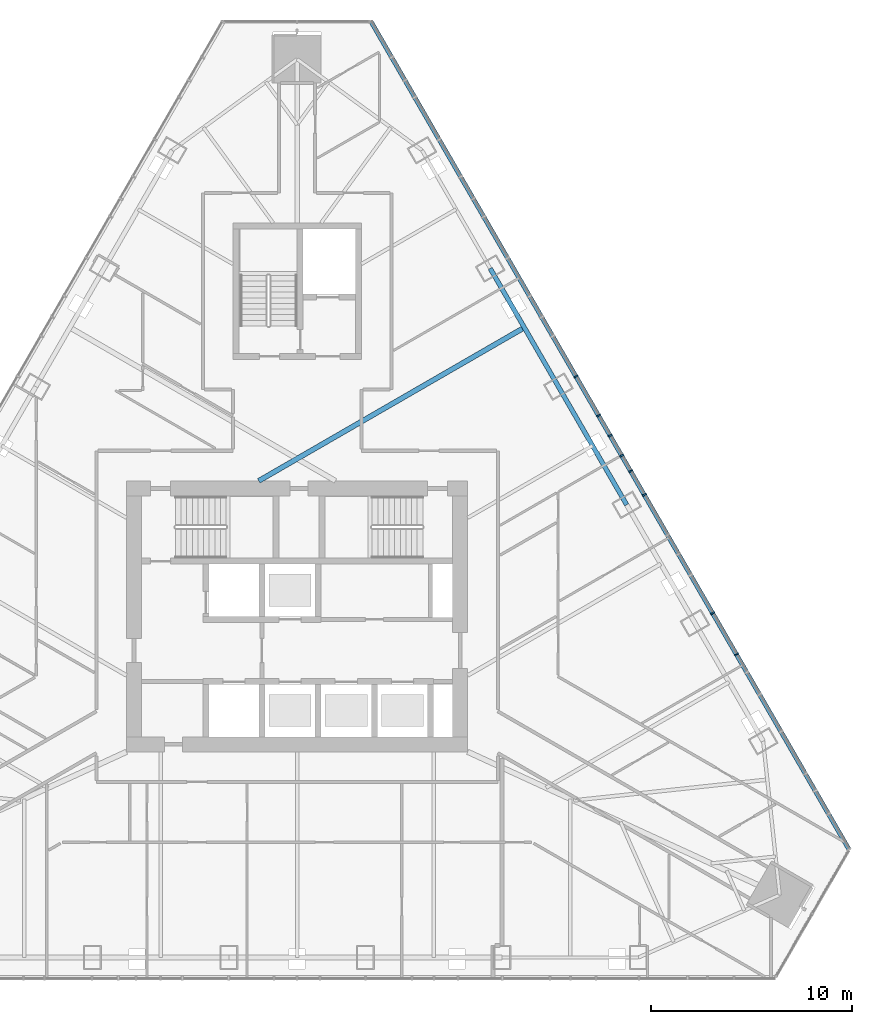
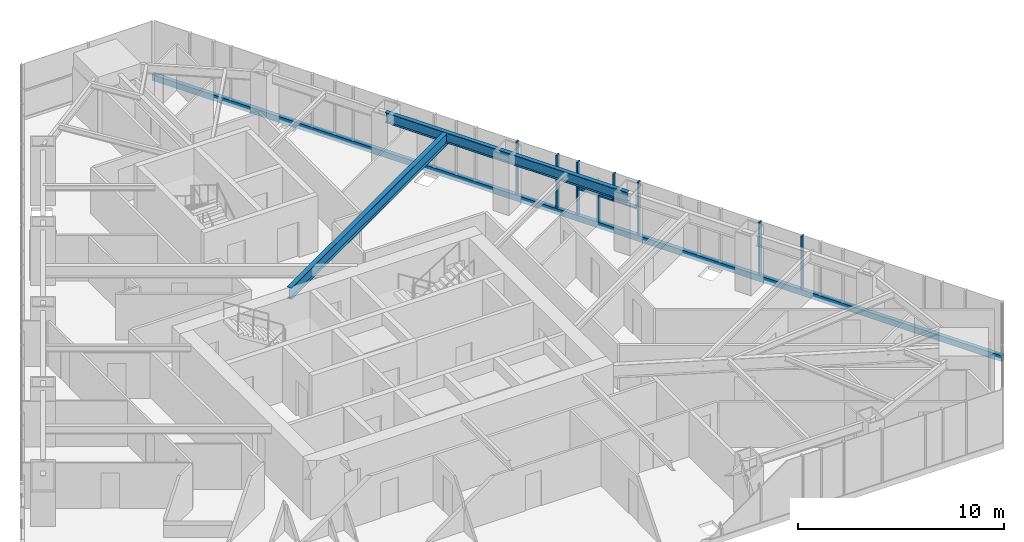
# One storey, part 8 of 19: 10 members, 2 beams, 1 element without a shape of its own.
"""IFC4 building model written with IfcOpenShell, lengths in metres."""

from ifc_helpers import new_model, si_unit, direction, frame, origin, origin_2d, place, context, subcontext, project, spatial, rectangle, i_section, extrude, material, layer, layer_set, material_profile, profile_set, type_object, element, aggregate, save


model = new_model("IFC4")

# Units and contexts
model_context = context("Model", 3, precision=1e-05, world=origin(), true_north=direction((0.0, 1.0)))
body_context = subcontext(model_context, "Body", "Model", "MODEL_VIEW")
ifc_project = project(units=[si_unit("LENGTHUNIT", "METRE"), si_unit("AREAUNIT", "SQUARE_METRE"), si_unit("VOLUMEUNIT", "CUBIC_METRE"), si_unit("PLANEANGLEUNIT", "RADIAN"), si_unit("MASSUNIT", "GRAM", prefix="KILO")], contexts=[model_context])

# Site, building, storey
site_placement = place(None, origin())
site = spatial("IfcSite", under=ifc_project, at=site_placement, CompositionType="ELEMENT")
building_placement = place(site_placement, origin())
building = spatial("IfcBuilding", under=site, at=building_placement, Name="Firuza Gate Tower and Library", CompositionType="ELEMENT")
storey_placement = place(building_placement, frame((0.0, 0.0, 256.60009765625)))
storey = spatial("IfcBuildingStorey", under=building, at=storey_placement, Name="L60", CompositionType="ELEMENT", Elevation=256.60009765625)

# Curtain wall, members
ifc_material_1 = material(Name="Aluminium 6063-T6", Category="aluminium")
ifc_layer = layer(ifc_material_1, 0.14990234375)
ifc_layer_set = layer_set([ifc_layer], Name="Unitised curtain wall, residences")
curtain_wall_type = type_object("IfcCurtainWallType", Name="Unitised curtain wall, residences", PredefinedType="NOTDEFINED", material=ifc_layer_set)
curtain_wall_placement = place(storey_placement, origin())
curtain_wall = element("IfcCurtainWall", 1, at=curtain_wall_placement, inside=storey, type_object=curtain_wall_type, Name="CW3 L60 E face", PredefinedType="NOTDEFINED")
ifc_material_2 = material(Name="Aluminium 6063-T6", Category="aluminium")
ifc_material_profile_1 = material_profile(ifc_material_2, rectangle(XDim=0.219970703125, YDim=0.080078125, at=origin_2d()))
ifc_profile_set_1 = profile_set([ifc_material_profile_1], Name="Aluminium 6063-T6")
member_type_1 = type_object("IfcMemberType", Name="Curtain wall mullion 80x220", PredefinedType="MULLION", material=ifc_profile_set_1)
member_1_placement = place(storey_placement, frame((95.70458984375, 75.154296875, 0.14990234375), z_axis=(0.0, 0.0, 1.0), x_axis=(-0.866025403784, -0.5, 0.0)))
member_1 = element("IfcMember", 2, at=member_1_placement, type_object=member_type_1, Name="Mullion", PredefinedType="MULLION", context=body_context, shape_type="SweptSolid", body=[
    extrude(rectangle(XDim=0.219970703125, YDim=0.080078125, at=origin_2d()), origin(), (0.0, 0.0, 1.0), 3.14990234375),
])
member_2_placement = place(storey_placement, frame((92.29833984375, 81.05419921875, 0.14990234375), z_axis=(0.0, 0.0, 1.0), x_axis=(-0.866025403784, -0.5, 0.0)))
member_2 = element("IfcMember", 3, at=member_2_placement, type_object=member_type_1, Name="Mullion", PredefinedType="MULLION", context=body_context, shape_type="SweptSolid", body=[
    extrude(rectangle(XDim=0.219970703125, YDim=0.080078125, at=origin_2d()), origin(), (0.0, 0.0, 1.0), 3.14990234375),
])
member_3_placement = place(storey_placement, frame((90.59521484375, 84.00390625, 0.14990234375), z_axis=(0.0, 0.0, 1.0), x_axis=(-0.866025403784, -0.5, 0.0)))
member_3 = element("IfcMember", 4, at=member_3_placement, type_object=member_type_1, Name="Mullion", PredefinedType="MULLION", context=body_context, shape_type="SweptSolid", body=[
    extrude(rectangle(XDim=0.219970703125, YDim=0.080078125, at=origin_2d()), origin(), (0.0, 0.0, 1.0), 3.14990234375),
])
member_4_placement = place(storey_placement, frame((88.89208984375, 86.953857421875, 0.14990234375), z_axis=(0.0, 0.0, 1.0), x_axis=(-0.866025403784, -0.5, 0.0)))
member_4 = element("IfcMember", 5, at=member_4_placement, type_object=member_type_1, Name="Mullion", PredefinedType="MULLION", context=body_context, shape_type="SweptSolid", body=[
    extrude(rectangle(XDim=0.219970703125, YDim=0.080078125, at=origin_2d()), origin(), (0.0, 0.0, 1.0), 3.14990234375),
])
member_5_placement = place(storey_placement, frame((96.891845703125, 73.097900390625, 0.14990234375), z_axis=(0.0, 0.0, 1.0), x_axis=(-0.866025403784, -0.5, 0.0)))
member_5 = element("IfcMember", 6, at=member_5_placement, type_object=member_type_1, Name="Mullion", PredefinedType="MULLION", context=body_context, shape_type="SweptSolid", body=[
    extrude(rectangle(XDim=0.219970703125, YDim=0.080078125, at=origin_2d()), origin(), (0.0, 0.0, 1.0), 3.14990234375),
])
member_6_placement = place(storey_placement, frame((91.170166015625, 83.00830078125, 0.14990234375), z_axis=(0.0, 0.0, 1.0), x_axis=(-0.866025403784, -0.5, 0.0)))
member_6 = element("IfcMember", 7, at=member_6_placement, type_object=member_type_1, Name="Mullion", PredefinedType="MULLION", context=body_context, shape_type="SweptSolid", body=[
    extrude(rectangle(XDim=0.219970703125, YDim=0.080078125, at=origin_2d()), origin(), (0.0, 0.0, 1.0), 1.534912109375),
])
member_7_placement = place(storey_placement, frame((91.614013671875, 82.2392578125, 1.764892578125), z_axis=(0.0, 0.0, 1.0), x_axis=(-0.866025403784, -0.5, 0.0)))
member_7 = element("IfcMember", 8, at=member_7_placement, type_object=member_type_1, Name="Mullion", PredefinedType="MULLION", context=body_context, shape_type="SweptSolid", body=[
    extrude(rectangle(XDim=0.219970703125, YDim=0.080078125, at=origin_2d()), origin(), (0.0, 0.0, 1.0), 1.534912109375),
])
member_8_placement = place(storey_placement, frame((90.020263671875, 84.999755859375, 0.14990234375), z_axis=(0.0, 0.0, 1.0), x_axis=(-0.866025403784, -0.5, 0.0)))
member_8 = element("IfcMember", 9, at=member_8_placement, type_object=member_type_1, Name="Mullion", PredefinedType="MULLION", context=body_context, shape_type="SweptSolid", body=[
    extrude(rectangle(XDim=0.219970703125, YDim=0.080078125, at=origin_2d()), origin(), (0.0, 0.0, 1.0), 3.14990234375),
])
ifc_material_3 = material(Name="Aluminium 6063-T6", Category="aluminium")
ifc_material_profile_2 = material_profile(ifc_material_3, rectangle(XDim=0.219970703125, YDim=0.35009765625, at=origin_2d()))
ifc_profile_set_2 = profile_set([ifc_material_profile_2], Name="Aluminium 6063-T6")
member_type_2 = type_object("IfcMemberType", Name="Curtain wall transom 350x220", PredefinedType="USERDEFINED", material=ifc_profile_set_2)
member_9_placement = place(storey_placement, frame((102.516845703125, 63.35498046875, -0.025146484375), z_axis=(-0.499998993462, 0.866025984908, 0.0), x_axis=(-0.866025984908, -0.499998993462, 0.0)))
member_9 = element("IfcMember", 10, at=member_9_placement, type_object=member_type_2, Name="Transom", ObjectType="TRANSOM", PredefinedType="USERDEFINED", context=body_context, shape_type="SweptSolid", body=[
    extrude(rectangle(XDim=0.219970703125, YDim=0.35009765625, at=origin_2d()), origin(), (0.0, 0.0, 1.0), 47.6865234375),
])
ifc_material_4 = material(Name="Aluminium 6063-T6", Category="aluminium")
ifc_material_profile_3 = material_profile(ifc_material_4, rectangle(XDim=0.219970703125, YDim=0.080078125, at=origin_2d()))
ifc_profile_set_3 = profile_set([ifc_material_profile_3], Name="Aluminium 6063-T6")
member_type_3 = type_object("IfcMemberType", Name="Curtain wall transom 80x220", PredefinedType="USERDEFINED", material=ifc_profile_set_3)
member_10_placement = place(storey_placement, frame((92.2783203125, 81.088623046875, 1.724853515625), z_axis=(-0.499991421906, 0.866030356293, 0.0), x_axis=(-0.866030356293, -0.499991421906, 0.0)))
member_10 = element("IfcMember", 11, at=member_10_placement, type_object=member_type_3, Name="Transom", ObjectType="TRANSOM", PredefinedType="USERDEFINED", context=body_context, shape_type="SweptSolid", body=[
    extrude(rectangle(XDim=0.219970703125, YDim=0.080078125, at=origin_2d()), origin(), (0.0, 0.0, 1.0), 3.326171875),
])
aggregate(curtain_wall, [member_1, member_2, member_3, member_4, member_9, member_5, member_6, member_7, member_10, member_8])

# Beams
ifc_material_5 = material(Name="Steel S355", Category="steel")
ifc_material_profile_4 = material_profile(ifc_material_5, i_section(OverallWidth=0.22900390625, OverallDepth=0.612060546875, WebThickness=0.011962890625, FlangeThickness=0.01953125, at=origin_2d()))
ifc_profile_set_4 = profile_set([ifc_material_profile_4], Name="Steel S355")
beam_type_1 = type_object("IfcBeamType", Name="W610x125 Edge beam", PredefinedType="SPANDREL", material=ifc_profile_set_4)
beam_1_placement = place(storey_placement, frame((91.420654296875, 80.554443359375, 2.993896484375), z_axis=(-0.500006305228, 0.866021763429, 0.0), x_axis=(-0.866021763429, -0.500006305228, 0.0)))
element("IfcBeam", 12, at=beam_1_placement, inside=storey, type_object=beam_type_1, Name="Edge beam L60 e52", PredefinedType="SPANDREL", context=body_context, shape_type="SweptSolid", body=[
    extrude(i_section(OverallWidth=0.22900390625, OverallDepth=0.612060546875, WebThickness=0.011962890625, FlangeThickness=0.01953125, at=origin_2d()), origin(), (0.0, 0.0, 1.0), 13.599853515625),
])
ifc_material_6 = material(Name="Steel S355", Category="steel")
ifc_material_profile_5 = material_profile(ifc_material_6, i_section(OverallWidth=0.2529296875, OverallDepth=0.677978515625, WebThickness=0.01171875, FlangeThickness=0.016357421875, at=origin_2d()))
ifc_profile_set_5 = profile_set([ifc_material_profile_5], Name="Steel S355")
beam_type_2 = type_object("IfcBeamType", Name="W690x125 Floor beam", PredefinedType="JOIST", material=ifc_profile_set_5)
beam_2_placement = place(storey_placement, frame((86.320556640625, 89.387939453125, 2.9609375), z_axis=(-0.866024566659, -0.500001449941, 0.0), x_axis=(0.500001449941, -0.866024566659, 0.0)))
element("IfcBeam", 13, at=beam_2_placement, inside=storey, type_object=beam_type_2, Name="Floor beam L60 s53", PredefinedType="JOIST", context=body_context, shape_type="SweptSolid", body=[
    extrude(i_section(OverallWidth=0.2529296875, OverallDepth=0.677978515625, WebThickness=0.01171875, FlangeThickness=0.016357421875, at=origin_2d()), origin(), (0.0, 0.0, 1.0), 15.27587890625),
])

save(model, "model.ifc")
